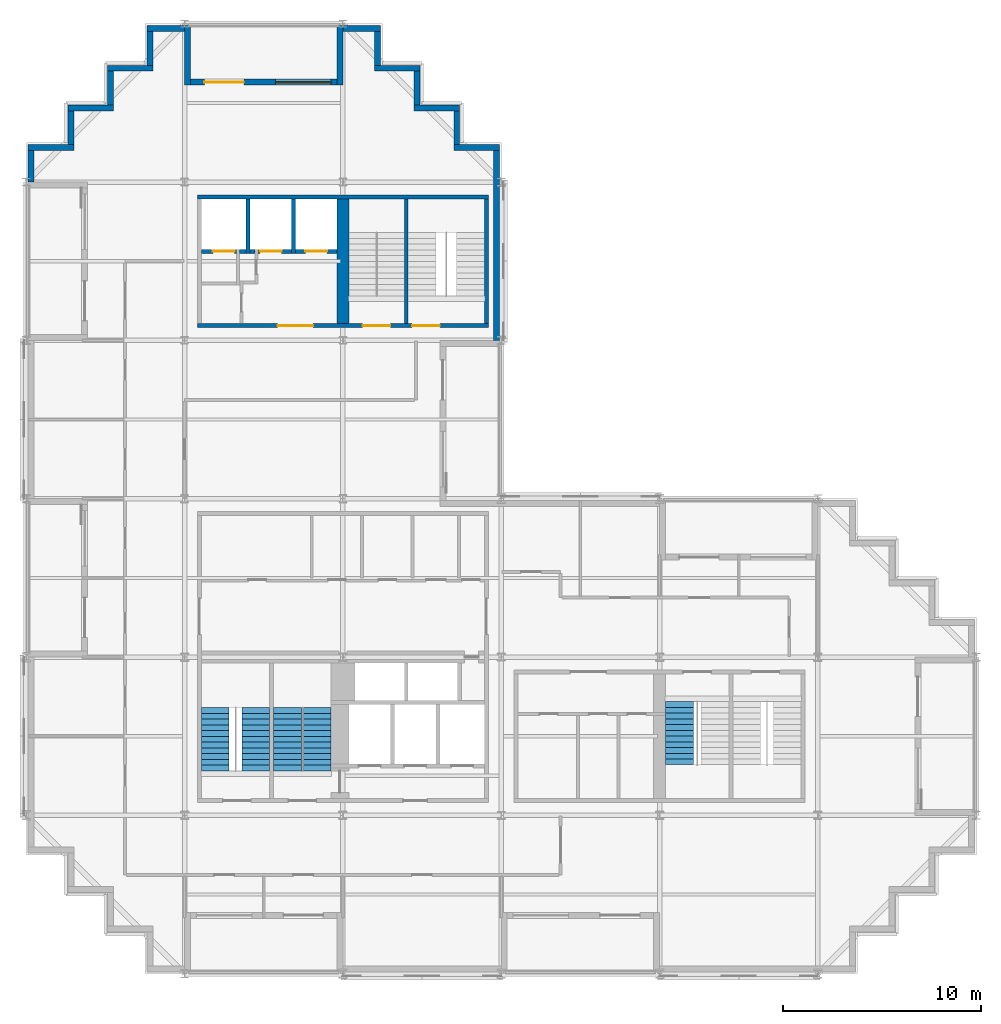
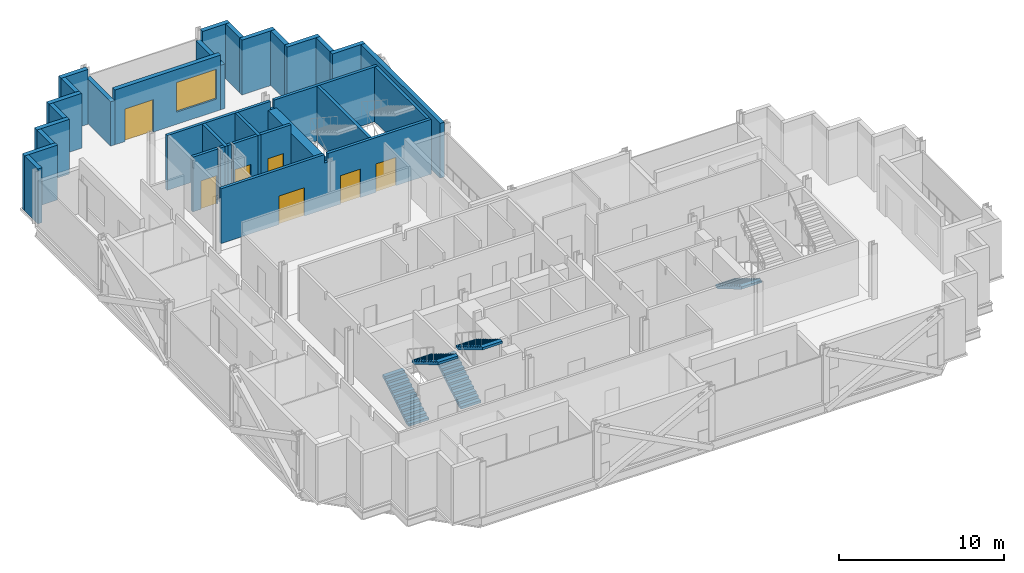
# One storey, part 8 of 11: 31 walls, 7 doors, 5 stair flights, 1 window, 8 openings, 3 elements without a shape of their own.
"""IFC4 building model written with IfcOpenShell, lengths in metres."""

from ifc_helpers import new_model, si_unit, direction, frame, frame_2d, origin, place, context, subcontext, project, spatial, polyline, rectangle, outline, extrude, material, layer, layer_set, type_object, element, fill, aggregate, save


model = new_model("IFC4")

# Units and contexts
model_context = context("Model", 3, precision=1e-05, world=origin(), true_north=direction((0.0, 1.0)))
body_context = subcontext(model_context, "Body", "Model", "MODEL_VIEW")
ifc_project = project(units=[si_unit("LENGTHUNIT", "METRE"), si_unit("AREAUNIT", "SQUARE_METRE"), si_unit("VOLUMEUNIT", "CUBIC_METRE"), si_unit("PLANEANGLEUNIT", "RADIAN"), si_unit("MASSUNIT", "GRAM", prefix="KILO")], contexts=[model_context])

# Site, building, storey
site_placement = place(None, origin())
site = spatial("IfcSite", under=ifc_project, at=site_placement, CompositionType="ELEMENT")
building_placement = place(site_placement, origin())
building = spatial("IfcBuilding", under=site, at=building_placement, Name="Immortelle Media Tower", CompositionType="ELEMENT")
storey_placement = place(building_placement, frame((0.0, 0.0, 141.0)))
storey = spatial("IfcBuildingStorey", under=building, at=storey_placement, Name="L28", CompositionType="ELEMENT", Elevation=141.0)

# Wall, opening, door
ifc_material_1 = material(Name="Fire-rated gypsum board", Category="gypsum")
ifc_layer_1 = layer(ifc_material_1, 0.03759765625)
ifc_material_2 = material(Name="Steel ASTM A653 SS Gr 50 stud frame with mineral wool", Category="steel")
ifc_layer_2 = layer(ifc_material_2, 0.125)
ifc_layer_3 = layer(ifc_material_1, 0.03759765625)
ifc_layer_set_1 = layer_set([ifc_layer_1, ifc_layer_2, ifc_layer_3], Name="Steel ASTM A653 SS Gr 50 stud frame with mineral wool")
wall_type_1 = type_object("IfcWallType", Name="Core shaft wall 200", PredefinedType="PARTITIONING", material=ifc_layer_set_1)
wall_1_placement = place(storey_placement, frame((8.85009765625, 36.5, 0.0), z_axis=(0.0, 0.0, 1.0), x_axis=(1.0, 0.0, 0.0)))
wall_1 = element("IfcWall", 1, at=wall_1_placement, inside=storey, type_object=wall_type_1, Name="Core shaft wall NW", PredefinedType="PARTITIONING", context=body_context, shape_type="SweptSolid", body=[
    extrude(rectangle(XDim=1.77490234375, YDim=0.199951171875, at=frame_2d((0.887451171875, 0.0))), origin(), (0.0, 0.0, 1.0), 4.050048828125),
])
opening_1_placement = place(wall_1_placement, frame((0.574951171875, 0.0, 0.0)))
opening_1 = element("IfcOpeningElement", 2, at=opening_1_placement, cuts=wall_1, Name="Opening LD", PredefinedType="OPENING", context=body_context, shape_type="SweptSolid", body=[
    extrude(rectangle(XDim=1.10009765625, YDim=2.10009765625, at=frame_2d((0.550048828125, 1.050048828125))), frame((0.0, 0.10986328125, 0.0), z_axis=(0.0, -1.0, 0.0), x_axis=(1.0, 0.0, 0.0)), (0.0, 0.0, 1.0), 0.219970703125),
])
ifc_material_3 = material(Name="Stainless steel AISI 304", Category="steel")
door_type_1 = type_object("IfcDoorType", Name="Landing door 1100 x 2100", OperationType="SLIDING_TO_LEFT", PredefinedType="NOTDEFINED", material=ifc_material_3)
door_1_placement = place(opening_1_placement, origin())
door_1 = element("IfcDoor", 3, at=door_1_placement, inside=storey, type_object=door_type_1, Name="Landing door MR1 L28", OperationType="SLIDING_TO_LEFT", OverallHeight=2.10009765625, OverallWidth=1.10009765625, PredefinedType="NOTDEFINED", context=body_context, shape_type="SweptSolid", body=[
    extrude(rectangle(XDim=1.10009765625, YDim=2.10009765625, at=frame_2d((0.550048828125, 1.050048828125))), frame((0.0, 0.02490234375, 0.0), z_axis=(0.0, -1.0, 0.0), x_axis=(1.0, 0.0, 0.0)), (0.0, 0.0, 1.0), 0.050048828125),
])
fill(opening_1, door_1)

# Walls
wall_2_placement = place(storey_placement, frame((10.77490234375, 36.5, 0.0), z_axis=(0.0, 0.0, 1.0), x_axis=(1.0, 0.0, 0.0)))
element("IfcWall", 4, at=wall_2_placement, inside=storey, type_object=wall_type_1, Name="Core shaft wall NW", PredefinedType="PARTITIONING", context=body_context, shape_type="SweptSolid", body=[
    extrude(rectangle(XDim=0.3251953125, YDim=0.199951171875, at=frame_2d((0.16259765625, 0.0))), origin(), (0.0, 0.0, 1.0), 4.050048828125),
])
wall_3_placement = place(storey_placement, frame((11.199951171875, 36.39990234375, 0.0), z_axis=(0.0, 0.0, 1.0), x_axis=(0.0, 1.0, 0.0)))
element("IfcWall", 5, at=wall_3_placement, inside=storey, type_object=wall_type_1, Name="Core shaft wall NW", PredefinedType="PARTITIONING", context=body_context, shape_type="SweptSolid", body=[
    extrude(rectangle(XDim=2.75, YDim=0.199951171875, at=frame_2d((1.375, 0.0))), origin(), (0.0, 0.0, 1.0), 4.050048828125),
])
wall_4_placement = place(storey_placement, frame((11.300048828125, 36.5, 0.0), z_axis=(0.0, 0.0, 1.0), x_axis=(1.0, 0.0, 0.0)))
element("IfcWall", 6, at=wall_4_placement, inside=storey, type_object=wall_type_1, Name="Core shaft wall NW", PredefinedType="PARTITIONING", context=body_context, shape_type="SweptSolid", body=[
    extrude(rectangle(XDim=0.25, YDim=0.199951171875, at=frame_2d((0.125, 0.0))), origin(), (0.0, 0.0, 1.0), 4.050048828125),
])

# Wall, opening, door
wall_5_placement = place(storey_placement, frame((11.699951171875, 36.5, 0.0), z_axis=(0.0, 0.0, 1.0), x_axis=(1.0, 0.0, 0.0)))
wall_5 = element("IfcWall", 7, at=wall_5_placement, inside=storey, type_object=wall_type_1, Name="Core shaft wall NW", PredefinedType="PARTITIONING", context=body_context, shape_type="SweptSolid", body=[
    extrude(rectangle(XDim=1.699951171875, YDim=0.199951171875, at=frame_2d((0.85009765625, 0.0))), origin(), (0.0, 0.0, 1.0), 4.050048828125),
])
opening_2_placement = place(wall_5_placement, frame((0.10009765625, 0.0, 0.0)))
opening_2 = element("IfcOpeningElement", 8, at=opening_2_placement, cuts=wall_5, Name="Opening LD", PredefinedType="OPENING", context=body_context, shape_type="SweptSolid", body=[
    extrude(rectangle(XDim=1.10009765625, YDim=2.10009765625, at=frame_2d((0.550048828125, 1.050048828125))), frame((0.0, 0.10986328125, 0.0), z_axis=(0.0, -1.0, 0.0), x_axis=(1.0, 0.0, 0.0)), (0.0, 0.0, 1.0), 0.219970703125),
])
door_2_placement = place(opening_2_placement, origin())
door_2 = element("IfcDoor", 9, at=door_2_placement, inside=storey, type_object=door_type_1, Name="Landing door MR2 L28", OperationType="SLIDING_TO_LEFT", OverallHeight=2.10009765625, OverallWidth=1.10009765625, PredefinedType="NOTDEFINED", context=body_context, shape_type="SweptSolid", body=[
    extrude(rectangle(XDim=1.10009765625, YDim=2.10009765625, at=frame_2d((0.550048828125, 1.050048828125))), frame((0.0, 0.02490234375, 0.0), z_axis=(0.0, -1.0, 0.0), x_axis=(1.0, 0.0, 0.0)), (0.0, 0.0, 1.0), 0.050048828125),
])
fill(opening_2, door_2)

# Wall
wall_6_placement = place(storey_placement, frame((13.5, 36.39990234375, 0.0), z_axis=(0.0, 0.0, 1.0), x_axis=(0.0, 1.0, 0.0)))
element("IfcWall", 10, at=wall_6_placement, inside=storey, type_object=wall_type_1, Name="Core shaft wall NW", PredefinedType="PARTITIONING", context=body_context, shape_type="SweptSolid", body=[
    extrude(rectangle(XDim=2.75, YDim=0.199951171875, at=frame_2d((1.375, 0.0))), origin(), (0.0, 0.0, 1.0), 4.050048828125),
])

# Wall, opening, door
wall_7_placement = place(storey_placement, frame((13.60009765625, 36.5, 0.0), z_axis=(0.0, 0.0, 1.0), x_axis=(1.0, 0.0, 0.0)))
wall_7 = element("IfcWall", 11, at=wall_7_placement, inside=storey, type_object=wall_type_1, Name="Core shaft wall NW", PredefinedType="PARTITIONING", context=body_context, shape_type="SweptSolid", body=[
    extrude(rectangle(XDim=2.099853515625, YDim=0.199951171875, at=frame_2d((1.0498046875, 0.0))), origin(), (0.0, 0.0, 1.0), 4.050048828125),
])
opening_3_placement = place(wall_7_placement, frame((0.5, 0.0, 0.0)))
opening_3 = element("IfcOpeningElement", 12, at=opening_3_placement, cuts=wall_7, Name="Opening LD", PredefinedType="OPENING", context=body_context, shape_type="SweptSolid", body=[
    extrude(rectangle(XDim=1.10009765625, YDim=2.10009765625, at=frame_2d((0.550048828125, 1.050048828125))), frame((0.0, 0.10986328125, 0.0), z_axis=(0.0, -1.0, 0.0), x_axis=(1.0, 0.0, 0.0)), (0.0, 0.0, 1.0), 0.219970703125),
])
door_3_placement = place(opening_3_placement, origin())
door_3 = element("IfcDoor", 13, at=door_3_placement, inside=storey, type_object=door_type_1, Name="Landing door MR3 L28", OperationType="SLIDING_TO_LEFT", OverallHeight=2.10009765625, OverallWidth=1.10009765625, PredefinedType="NOTDEFINED", context=body_context, shape_type="SweptSolid", body=[
    extrude(rectangle(XDim=1.10009765625, YDim=2.10009765625, at=frame_2d((0.550048828125, 1.050048828125))), frame((0.0, 0.02490234375, 0.0), z_axis=(0.0, -1.0, 0.0), x_axis=(1.0, 0.0, 0.0)), (0.0, 0.0, 1.0), 0.050048828125),
])
fill(opening_3, door_3)

# Walls
ifc_material_4 = material(Name="Pale aluminium cladding panel", Category="aluminium")
ifc_layer_4 = layer(ifc_material_4, 0.030029296875)
ifc_layer_5 = layer(ifc_material_2, 0.257568359375)
ifc_material_5 = material(Name="Moisture-resistant gypsum board", Category="gypsum")
ifc_layer_6 = layer(ifc_material_5, 0.012451171875)
ifc_layer_set_2 = layer_set([ifc_layer_4, ifc_layer_5, ifc_layer_6], Name="Steel ASTM A653 SS Gr 50 stud frame with mineral wool")
wall_type_2 = type_object("IfcWallType", Name="Facade wall 300", PredefinedType="SOLIDWALL", material=ifc_layer_set_2)
wall_8_placement = place(storey_placement, frame((23.75, 32.0, 0.0), z_axis=(0.0, 0.0, 1.0), x_axis=(0.0, 1.0, 0.0)))
element("IfcWall", 14, at=wall_8_placement, inside=storey, type_object=wall_type_2, Name="Facade wall L28 E21", PredefinedType="SOLIDWALL", context=body_context, shape_type="SweptSolid", body=[
    extrude(rectangle(XDim=9.60009765625, YDim=0.300048828125, at=frame_2d((4.800048828125, 0.0))), origin(), (0.0, 0.0, 1.0), 4.050048828125),
])
wall_9_placement = place(storey_placement, frame((23.89990234375, 41.75, 0.0), z_axis=(0.0, 0.0, 1.0), x_axis=(-1.0, 0.0, 0.0)))
element("IfcWall", 15, at=wall_9_placement, inside=storey, type_object=wall_type_2, Name="Facade wall L28 N22", PredefinedType="SOLIDWALL", context=body_context, shape_type="SweptSolid", body=[
    extrude(rectangle(XDim=2.2998046875, YDim=0.300048828125, at=frame_2d((1.14990234375, 0.0))), origin(), (0.0, 0.0, 1.0), 4.050048828125),
])
wall_10_placement = place(storey_placement, frame((21.75, 41.89990234375, 0.0), z_axis=(0.0, 0.0, 1.0), x_axis=(0.0, 1.0, 0.0)))
element("IfcWall", 16, at=wall_10_placement, inside=storey, type_object=wall_type_2, Name="Facade wall L28 E23", PredefinedType="SOLIDWALL", context=body_context, shape_type="SweptSolid", body=[
    extrude(rectangle(XDim=1.7001953125, YDim=0.300048828125, at=frame_2d((0.85009765625, 0.0))), origin(), (0.0, 0.0, 1.0), 4.050048828125),
])
wall_11_placement = place(storey_placement, frame((21.89990234375, 43.75, 0.0), z_axis=(0.0, 0.0, 1.0), x_axis=(-1.0, 0.0, 0.0)))
element("IfcWall", 17, at=wall_11_placement, inside=storey, type_object=wall_type_2, Name="Facade wall L28 N24", PredefinedType="SOLIDWALL", context=body_context, shape_type="SweptSolid", body=[
    extrude(rectangle(XDim=2.2998046875, YDim=0.300048828125, at=frame_2d((1.14990234375, 0.0))), origin(), (0.0, 0.0, 1.0), 4.050048828125),
])
wall_12_placement = place(storey_placement, frame((19.75, 43.89990234375, 0.0), z_axis=(0.0, 0.0, 1.0), x_axis=(0.0, 1.0, 0.0)))
element("IfcWall", 18, at=wall_12_placement, inside=storey, type_object=wall_type_2, Name="Facade wall L28 E25", PredefinedType="SOLIDWALL", context=body_context, shape_type="SweptSolid", body=[
    extrude(rectangle(XDim=1.7001953125, YDim=0.300048828125, at=frame_2d((0.85009765625, 0.0))), origin(), (0.0, 0.0, 1.0), 4.050048828125),
])
wall_13_placement = place(storey_placement, frame((19.89990234375, 45.75, 0.0), z_axis=(0.0, 0.0, 1.0), x_axis=(-1.0, 0.0, 0.0)))
element("IfcWall", 19, at=wall_13_placement, inside=storey, type_object=wall_type_2, Name="Facade wall L28 N26", PredefinedType="SOLIDWALL", context=body_context, shape_type="SweptSolid", body=[
    extrude(rectangle(XDim=2.2998046875, YDim=0.300048828125, at=frame_2d((1.14990234375, 0.0))), origin(), (0.0, 0.0, 1.0), 4.050048828125),
])
wall_14_placement = place(storey_placement, frame((17.75, 45.89990234375, 0.0), z_axis=(0.0, 0.0, 1.0), x_axis=(0.0, 1.0, 0.0)))
element("IfcWall", 20, at=wall_14_placement, inside=storey, type_object=wall_type_2, Name="Facade wall L28 E27", PredefinedType="SOLIDWALL", context=body_context, shape_type="SweptSolid", body=[
    extrude(rectangle(XDim=1.7001953125, YDim=0.300048828125, at=frame_2d((0.85009765625, 0.0))), origin(), (0.0, 0.0, 1.0), 4.050048828125),
])
wall_15_placement = place(storey_placement, frame((17.89990234375, 47.75, 0.0), z_axis=(0.0, 0.0, 1.0), x_axis=(-1.0, 0.0, 0.0)))
element("IfcWall", 21, at=wall_15_placement, inside=storey, type_object=wall_type_2, Name="Facade wall L28 N28", PredefinedType="SOLIDWALL", context=body_context, shape_type="SweptSolid", body=[
    extrude(rectangle(XDim=1.89990234375, YDim=0.300048828125, at=frame_2d((0.949951171875, 0.0))), origin(), (0.0, 0.0, 1.0), 4.050048828125),
])

# Wall, openings, door, window
wall_16_placement = place(storey_placement, frame((15.699951171875, 45.050048828125, 0.0), z_axis=(0.0, 0.0, 1.0), x_axis=(-1.0, 0.0, 0.0)))
wall_16 = element("IfcWall", 22, at=wall_16_placement, inside=storey, type_object=wall_type_2, Name="Loggia wall L28 N28", PredefinedType="SOLIDWALL", context=body_context, shape_type="SweptSolid", body=[
    extrude(rectangle(XDim=7.39990234375, YDim=0.300048828125, at=frame_2d((3.699951171875, 0.0))), origin(), (0.0, 0.0, 1.0), 4.050048828125),
])
opening_4_placement = place(wall_16_placement, frame((0.300048828125, 0.0, 0.89990234375)))
opening_4 = element("IfcOpeningElement", 23, at=opening_4_placement, cuts=wall_16, Name="Opening W1", PredefinedType="OPENING", context=body_context, shape_type="SweptSolid", body=[
    extrude(rectangle(XDim=2.800048828125, YDim=2.199951171875, at=frame_2d((1.39990234375, 1.10009765625))), frame((0.0, 0.159912109375, 0.0), z_axis=(0.0, -1.0, 0.0), x_axis=(1.0, 0.0, 0.0)), (0.0, 0.0, 1.0), 0.320068359375),
])
opening_5_placement = place(wall_16_placement, frame((4.699951171875, 0.0, 0.0)))
opening_5 = element("IfcOpeningElement", 24, at=opening_5_placement, cuts=wall_16, Name="Opening C2-E006", PredefinedType="OPENING", context=body_context, shape_type="SweptSolid", body=[
    extrude(rectangle(XDim=2.0, YDim=2.39990234375, at=frame_2d((1.0, 1.199951171875))), frame((0.0, 0.159912109375, 0.0), z_axis=(0.0, -1.0, 0.0), x_axis=(1.0, 0.0, 0.0)), (0.0, 0.0, 1.0), 0.320068359375),
])
ifc_material_6 = material(Name="Aluminium frame, glazed leaves", Category="aluminium")
door_type_2 = type_object("IfcDoorType", Name="Loggia door 2000 x 2400", OperationType="DOUBLE_DOOR_SINGLE_SWING", PredefinedType="DOOR", material=ifc_material_6)
door_4_placement = place(opening_5_placement, origin())
door_4 = element("IfcDoor", 25, at=door_4_placement, inside=storey, type_object=door_type_2, Name="Door C2-E006", OperationType="DOUBLE_DOOR_SINGLE_SWING", OverallHeight=2.39990234375, OverallWidth=2.0, PredefinedType="DOOR", context=body_context, shape_type="SweptSolid", body=[
    extrude(rectangle(XDim=2.0, YDim=2.39990234375, at=frame_2d((1.0, 1.199951171875))), frame((0.0, 0.02490234375, 0.0), z_axis=(0.0, -1.0, 0.0), x_axis=(1.0, 0.0, 0.0)), (0.0, 0.0, 1.0), 0.050048828125),
])
fill(opening_5, door_4)
ifc_material_7 = material(Name="Aluminium frame", Category="aluminium")
window_type = type_object("IfcWindowType", Name="Window 2800 x 2200", PartitioningType="SINGLE_PANEL", PredefinedType="WINDOW", material=ifc_material_7)
window_placement = place(opening_4_placement, origin())
window = element("IfcWindow", 26, at=window_placement, inside=storey, type_object=window_type, Name="Window L28 L28-R28-B0", OverallHeight=2.199951171875, OverallWidth=2.800048828125, PartitioningType="SINGLE_PANEL", PredefinedType="WINDOW", context=body_context, shape_type="SweptSolid", body=[
    extrude(rectangle(XDim=2.800048828125, YDim=2.199951171875, at=frame_2d((1.39990234375, 1.10009765625))), frame((0.0, 0.030029296875, 0.0), z_axis=(0.0, -1.0, 0.0), x_axis=(1.0, 0.0, 0.0)), (0.0, 0.0, 1.0), 0.06005859375),
])
fill(opening_4, window)

# Walls
for number, where, z_axis, x_axis, name in (
    (27, (15.85009765625, 47.89990234375, 0.0), (0.0, 0.0, 1.0), (0.0, -1.0, 0.0), "Loggia cheek wall L28 N"),
    (28, (8.14990234375, 47.89990234375, 0.0), (0.0, 0.0, 1.0), (0.0, -1.0, 0.0), "Loggia cheek wall L28 N"),
):
    element("IfcWall", number, at=place(storey_placement, frame(where, z_axis=z_axis, x_axis=x_axis)), inside=storey, type_object=wall_type_2, Name=name, PredefinedType="SOLIDWALL", context=body_context, shape_type="SweptSolid", body=[
        extrude(rectangle(XDim=3.0, YDim=0.300048828125, at=frame_2d((1.5, 0.0))), origin(), (0.0, 0.0, 1.0), 3.287109375),
    ])
wall_17_placement = place(storey_placement, frame((8.0, 47.75, 0.0), z_axis=(0.0, 0.0, 1.0), x_axis=(-1.0, 0.0, 0.0)))
element("IfcWall", 29, at=wall_17_placement, inside=storey, type_object=wall_type_2, Name="Facade wall L28 N28", PredefinedType="SOLIDWALL", context=body_context, shape_type="SweptSolid", body=[
    extrude(rectangle(XDim=1.89990234375, YDim=0.300048828125, at=frame_2d((0.949951171875, 0.0))), origin(), (0.0, 0.0, 1.0), 4.050048828125),
])
wall_18_placement = place(storey_placement, frame((6.25, 47.60009765625, 0.0), z_axis=(0.0, 0.0, 1.0), x_axis=(0.0, -1.0, 0.0)))
element("IfcWall", 30, at=wall_18_placement, inside=storey, type_object=wall_type_2, Name="Facade wall L28 W29", PredefinedType="SOLIDWALL", context=body_context, shape_type="SweptSolid", body=[
    extrude(rectangle(XDim=1.7001953125, YDim=0.300048828125, at=frame_2d((0.85009765625, 0.0))), origin(), (0.0, 0.0, 1.0), 4.050048828125),
])
wall_19_placement = place(storey_placement, frame((6.39990234375, 45.75, 0.0), z_axis=(0.0, 0.0, 1.0), x_axis=(-1.0, 0.0, 0.0)))
element("IfcWall", 31, at=wall_19_placement, inside=storey, type_object=wall_type_2, Name="Facade wall L28 N30", PredefinedType="SOLIDWALL", context=body_context, shape_type="SweptSolid", body=[
    extrude(rectangle(XDim=2.2998046875, YDim=0.300048828125, at=frame_2d((1.14990234375, 0.0))), origin(), (0.0, 0.0, 1.0), 4.050048828125),
])
wall_20_placement = place(storey_placement, frame((4.25, 45.60009765625, 0.0), z_axis=(0.0, 0.0, 1.0), x_axis=(0.0, -1.0, 0.0)))
element("IfcWall", 32, at=wall_20_placement, inside=storey, type_object=wall_type_2, Name="Facade wall L28 W31", PredefinedType="SOLIDWALL", context=body_context, shape_type="SweptSolid", body=[
    extrude(rectangle(XDim=1.7001953125, YDim=0.300048828125, at=frame_2d((0.85009765625, 0.0))), origin(), (0.0, 0.0, 1.0), 4.050048828125),
])
wall_21_placement = place(storey_placement, frame((4.39990234375, 43.75, 0.0), z_axis=(0.0, 0.0, 1.0), x_axis=(-1.0, 0.0, 0.0)))
element("IfcWall", 33, at=wall_21_placement, inside=storey, type_object=wall_type_2, Name="Facade wall L28 N32", PredefinedType="SOLIDWALL", context=body_context, shape_type="SweptSolid", body=[
    extrude(rectangle(XDim=2.2998046875, YDim=0.300048828125, at=frame_2d((1.14990234375, 0.0))), origin(), (0.0, 0.0, 1.0), 4.050048828125),
])
wall_22_placement = place(storey_placement, frame((2.25, 43.60009765625, 0.0), z_axis=(0.0, 0.0, 1.0), x_axis=(0.0, -1.0, 0.0)))
element("IfcWall", 34, at=wall_22_placement, inside=storey, type_object=wall_type_2, Name="Facade wall L28 W33", PredefinedType="SOLIDWALL", context=body_context, shape_type="SweptSolid", body=[
    extrude(rectangle(XDim=1.7001953125, YDim=0.300048828125, at=frame_2d((0.85009765625, 0.0))), origin(), (0.0, 0.0, 1.0), 4.050048828125),
])
wall_23_placement = place(storey_placement, frame((2.39990234375, 41.75, 0.0), z_axis=(0.0, 0.0, 1.0), x_axis=(-1.0, 0.0, 0.0)))
element("IfcWall", 35, at=wall_23_placement, inside=storey, type_object=wall_type_2, Name="Facade wall L28 N34", PredefinedType="SOLIDWALL", context=body_context, shape_type="SweptSolid", body=[
    extrude(rectangle(XDim=2.2998046875, YDim=0.300048828125, at=frame_2d((1.14990234375, 0.0))), origin(), (0.0, 0.0, 1.0), 4.050048828125),
])
wall_24_placement = place(storey_placement, frame((0.25, 41.60009765625, 0.0), z_axis=(0.0, 0.0, 1.0), x_axis=(0.0, -1.0, 0.0)))
element("IfcWall", 36, at=wall_24_placement, inside=storey, type_object=wall_type_2, Name="Facade wall L28 W35", PredefinedType="SOLIDWALL", context=body_context, shape_type="SweptSolid", body=[
    extrude(rectangle(XDim=1.60009765625, YDim=0.300048828125, at=frame_2d((0.800048828125, 0.0))), origin(), (0.0, 0.0, 1.0), 4.050048828125),
])

# Wall, openings, doors
ifc_material_8 = material(Name="Concrete C60", Category="concrete")
ifc_layer_7 = layer(ifc_material_8, 0.199951171875)
ifc_layer_set_3 = layer_set([ifc_layer_7], Name="Concrete C60")
wall_type_3 = type_object("IfcWallType", Name="Stair shaft wall 200", PredefinedType="PARTITIONING", material=ifc_layer_set_3)
wall_25_placement = place(storey_placement, frame((8.64990234375, 32.75, 0.0), z_axis=(0.0, 0.0, 1.0), x_axis=(1.0, 0.0, 0.0)))
wall_25 = element("IfcWall", 37, at=wall_25_placement, inside=storey, type_object=wall_type_3, Name="Stair shaft wall NW", PredefinedType="PARTITIONING", context=body_context, shape_type="SweptSolid", body=[
    extrude(outline(polyline([(0.0, 0.0), (14.7001953125, 0.0), (14.699951171875, 4.050048828125), (7.469482421875, 4.050048828125), (7.468505859375, 3.431884765625), (7.2314453125, 3.431884765625), (7.23046875, 4.050048828125), (0.0, 4.050048828125), (0.0, 0.0)])), frame((0.0, 0.10009765625, 0.0), z_axis=(0.0, -1.0, 0.0), x_axis=(1.0, 0.0, 0.0)), (0.0, 0.0, 1.0), 0.199951171875),
])
opening_6_placement = place(wall_25_placement, frame((4.050048828125, 0.0, 0.0)))
opening_6 = element("IfcOpeningElement", 38, at=opening_6_placement, cuts=wall_25, Name="Opening C2-K026", PredefinedType="OPENING", context=body_context, shape_type="SweptSolid", body=[
    extrude(rectangle(XDim=1.800048828125, YDim=2.10009765625, at=frame_2d((0.89990234375, 1.050048828125))), frame((0.0, 0.10986328125, 0.0), z_axis=(0.0, -1.0, 0.0), x_axis=(1.0, 0.0, 0.0)), (0.0, 0.0, 1.0), 0.219970703125),
])
opening_7_placement = place(wall_25_placement, frame((8.35009765625, 0.0, 0.0)))
opening_7 = element("IfcOpeningElement", 39, at=opening_7_placement, cuts=wall_25, Name="Opening C2-K028", PredefinedType="OPENING", context=body_context, shape_type="SweptSolid", body=[
    extrude(rectangle(XDim=1.39990234375, YDim=2.10009765625, at=frame_2d((0.699951171875, 1.050048828125))), frame((0.0, 0.10986328125, 0.0), z_axis=(0.0, -1.0, 0.0), x_axis=(1.0, 0.0, 0.0)), (0.0, 0.0, 1.0), 0.219970703125),
])
opening_8_placement = place(wall_25_placement, frame((10.85009765625, 0.0, 0.0)))
opening_8 = element("IfcOpeningElement", 40, at=opening_8_placement, cuts=wall_25, Name="Opening C2-K029", PredefinedType="OPENING", context=body_context, shape_type="SweptSolid", body=[
    extrude(rectangle(XDim=1.39990234375, YDim=2.10009765625, at=frame_2d((0.699951171875, 1.050048828125))), frame((0.0, 0.10986328125, 0.0), z_axis=(0.0, -1.0, 0.0), x_axis=(1.0, 0.0, 0.0)), (0.0, 0.0, 1.0), 0.219970703125),
])
ifc_material_9 = material(Name="Galvanised steel door leaf and frame ASTM A653", Category="steel")
door_type_3 = type_object("IfcDoorType", Name="Lift lobby door 1800 x 2100", OperationType="DOUBLE_DOOR_SINGLE_SWING", PredefinedType="NOTDEFINED", material=ifc_material_9)
door_5_placement = place(opening_6_placement, origin())
door_5 = element("IfcDoor", 41, at=door_5_placement, inside=storey, type_object=door_type_3, Name="Lift lobby C2-K026", OperationType="DOUBLE_DOOR_SINGLE_SWING", OverallHeight=2.10009765625, OverallWidth=1.800048828125, PredefinedType="NOTDEFINED", context=body_context, shape_type="SweptSolid", body=[
    extrude(rectangle(XDim=1.800048828125, YDim=2.10009765625, at=frame_2d((0.89990234375, 1.050048828125))), frame((0.0, 0.02490234375, 0.0), z_axis=(0.0, -1.0, 0.0), x_axis=(1.0, 0.0, 0.0)), (0.0, 0.0, 1.0), 0.050048828125),
])
fill(opening_6, door_5)
door_type_4 = type_object("IfcDoorType", Name="Stair door 1400 x 2100", OperationType="DOUBLE_DOOR_SINGLE_SWING", PredefinedType="NOTDEFINED", material=ifc_material_9)
door_6_placement = place(opening_7_placement, origin())
door_6 = element("IfcDoor", 42, at=door_6_placement, inside=storey, type_object=door_type_4, Name="Stair C2-K028", OperationType="DOUBLE_DOOR_SINGLE_SWING", OverallHeight=2.10009765625, OverallWidth=1.39990234375, PredefinedType="NOTDEFINED", context=body_context, shape_type="SweptSolid", body=[
    extrude(rectangle(XDim=1.39990234375, YDim=2.10009765625, at=frame_2d((0.699951171875, 1.050048828125))), frame((0.0, 0.02490234375, 0.0), z_axis=(0.0, -1.0, 0.0), x_axis=(1.0, 0.0, 0.0)), (0.0, 0.0, 1.0), 0.050048828125),
])
fill(opening_7, door_6)
door_7_placement = place(opening_8_placement, origin())
door_7 = element("IfcDoor", 43, at=door_7_placement, inside=storey, type_object=door_type_4, Name="Stair C2-K029", OperationType="DOUBLE_DOOR_SINGLE_SWING", OverallHeight=2.10009765625, OverallWidth=1.39990234375, PredefinedType="NOTDEFINED", context=body_context, shape_type="SweptSolid", body=[
    extrude(rectangle(XDim=1.39990234375, YDim=2.10009765625, at=frame_2d((0.699951171875, 1.050048828125))), frame((0.0, 0.02490234375, 0.0), z_axis=(0.0, -1.0, 0.0), x_axis=(1.0, 0.0, 0.0)), (0.0, 0.0, 1.0), 0.050048828125),
])
fill(opening_8, door_7)

# Walls
wall_26_placement = place(storey_placement, frame((8.64990234375, 39.25, 0.0), z_axis=(0.0, 0.0, 1.0), x_axis=(1.0, 0.0, 0.0)))
element("IfcWall", 44, at=wall_26_placement, inside=storey, type_object=wall_type_3, Name="Stair shaft wall NW", PredefinedType="PARTITIONING", context=body_context, shape_type="SweptSolid", body=[
    extrude(outline(polyline([(0.0, 0.0), (14.7001953125, 0.0), (14.699951171875, 4.050048828125), (7.469482421875, 4.050048828125), (7.468505859375, 3.431884765625), (7.2314453125, 3.431884765625), (7.23046875, 4.050048828125), (0.0, 4.050048828125), (0.0, 0.0)])), frame((0.0, 0.10009765625, 0.0), z_axis=(0.0, -1.0, 0.0), x_axis=(1.0, 0.0, 0.0)), (0.0, 0.0, 1.0), 0.199951171875),
])
for number, where, z_axis, x_axis, name in (
    (45, (19.199951171875, 32.85009765625, 0.0), (0.0, 0.0, 1.0), (0.0, 1.0, 0.0), "Stair shaft wall NW"),
    (46, (23.25, 32.85009765625, 0.0), (0.0, 0.0, 1.0), (0.0, 1.0, 0.0), "Stair shaft wall NW"),
):
    element("IfcWall", number, at=place(storey_placement, frame(where, z_axis=z_axis, x_axis=x_axis)), inside=storey, type_object=wall_type_3, Name=name, PredefinedType="PARTITIONING", context=body_context, shape_type="SweptSolid", body=[
        extrude(rectangle(XDim=6.2998046875, YDim=0.199951171875, at=frame_2d((3.14990234375, 0.0))), origin(), (0.0, 0.0, 1.0), 4.050048828125),
    ])
ifc_layer_8 = layer(ifc_material_8, 0.60009765625)
ifc_layer_set_4 = layer_set([ifc_layer_8], Name="Concrete C60")
wall_type_4 = type_object("IfcWallType", Name="Stair shaft wall 600", PredefinedType="PARTITIONING", material=ifc_layer_set_4)
wall_27_placement = place(storey_placement, frame((16.0, 32.85009765625, 0.0), z_axis=(0.0, 0.0, 1.0), x_axis=(0.0, 1.0, 0.0)))
element("IfcWall", 47, at=wall_27_placement, inside=storey, type_object=wall_type_4, Name="Stair shaft wall NW", PredefinedType="PARTITIONING", context=body_context, shape_type="SweptSolid", body=[
    extrude(rectangle(XDim=6.2998046875, YDim=0.60009765625, at=frame_2d((3.14990234375, 0.0))), origin(), (0.0, 0.0, 1.0), 3.431884765625),
])

# Stair, stair flights
ifc_material_10 = material(Name="Steel ASTM A992 Gr 50", Category="steel")
stair_type = type_object("IfcStairType", Name="Stair with flights", PredefinedType="DOUBLE_RETURN_STAIR", material=ifc_material_10)
stair_1_placement = place(storey_placement, origin())
stair_1 = element("IfcStair", 48, at=stair_1_placement, inside=storey, type_object=stair_type, Name="Exit stair SW1", PredefinedType="DOUBLE_RETURN_STAIR")
stair_flight_type = type_object("IfcStairFlightType", Name="Stair flight 1400", PredefinedType="STRAIGHT", material=ifc_material_10)
stair_flight_1_placement = place(storey_placement, frame((9.550048828125, 10.25, 0.0), z_axis=(0.0, 0.0, 1.0), x_axis=(0.0, 1.0, 0.0)))
stair_flight_1 = element("IfcStairFlight", 49, at=stair_flight_1_placement, type_object=stair_flight_type, Name="ST SW1 flight 1", NumberOfRisers=12, NumberOfTreads=11, PredefinedType="STRAIGHT", RiserHeight=0.175, TreadLength=0.29, context=body_context, shape_type="SweptSolid", body=[
    extrude(outline(polyline([(0.0, 0.0), (0.0, 0.175048828125), (0.2900390625, 0.175048828125), (0.2900390625, 0.35009765625), (0.580078125, 0.35009765625), (0.580078125, 0.52490234375), (0.8701171875, 0.52490234375), (0.8701171875, 0.699951171875), (1.159912109375, 0.699951171875), (1.159912109375, 0.875), (1.449951171875, 0.875), (1.449951171875, 1.050048828125), (1.739990234375, 1.050048828125), (1.739990234375, 1.22509765625), (2.030029296875, 1.22509765625), (2.030029296875, 1.39990234375), (2.320068359375, 1.39990234375), (2.320068359375, 1.574951171875), (2.610107421875, 1.574951171875), (2.610107421875, 1.75), (2.89990234375, 1.75), (2.89990234375, 1.925048828125), (3.18994140625, 1.925048828125), (3.18994140625, 2.10009765625), (3.18994140625, 1.75), (0.2900390625, 0.0), (0.0, 0.0)])), frame((0.0, 0.699951171875, 0.0), z_axis=(0.0, -1.0, 0.0), x_axis=(1.0, 0.0, 0.0)), (0.0, 0.0, 1.0), 1.39990234375),
])
stair_flight_2_placement = place(storey_placement, frame((11.60009765625, 13.43994140625, 2.10009765625), z_axis=(0.0, 0.0, 1.0), x_axis=(0.0, -1.0, 0.0)))
stair_flight_2 = element("IfcStairFlight", 50, at=stair_flight_2_placement, type_object=stair_flight_type, Name="ST SW1 flight 2", NumberOfRisers=12, NumberOfTreads=11, PredefinedType="STRAIGHT", RiserHeight=0.175, TreadLength=0.29, context=body_context, shape_type="SweptSolid", body=[
    extrude(outline(polyline([(0.0, 0.0), (0.0, 0.175048828125), (0.2900390625, 0.175048828125), (0.2900390625, 0.35009765625), (0.580078125, 0.35009765625), (0.580078125, 0.52490234375), (0.8701171875, 0.52490234375), (0.8701171875, 0.699951171875), (1.159912109375, 0.699951171875), (1.159912109375, 0.875), (1.449951171875, 0.875), (1.449951171875, 1.050048828125), (1.739990234375, 1.050048828125), (1.739990234375, 1.22509765625), (2.030029296875, 1.22509765625), (2.030029296875, 1.39990234375), (2.320068359375, 1.39990234375), (2.320068359375, 1.574951171875), (2.610107421875, 1.574951171875), (2.610107421875, 1.75), (2.89990234375, 1.75), (2.89990234375, 1.925048828125), (3.18994140625, 1.925048828125), (3.18994140625, 2.10009765625), (3.18994140625, 1.75), (0.2900390625, 0.0), (0.0, 0.0)])), frame((0.0, 0.699951171875, 0.0), z_axis=(0.0, -1.0, 0.0), x_axis=(1.0, 0.0, 0.0)), (0.0, 0.0, 1.0), 1.39990234375),
])
aggregate(stair_1, [stair_flight_1, stair_flight_2])

stair_2_placement = place(storey_placement, origin())
stair_2 = element("IfcStair", 51, at=stair_2_placement, inside=storey, type_object=stair_type, Name="Exit stair SW2", PredefinedType="DOUBLE_RETURN_STAIR")
stair_flight_3_placement = place(storey_placement, frame((13.199951171875, 10.25, 0.0), z_axis=(0.0, 0.0, 1.0), x_axis=(0.0, 1.0, 0.0)))
stair_flight_3 = element("IfcStairFlight", 52, at=stair_flight_3_placement, type_object=stair_flight_type, Name="ST SW2 flight 1", NumberOfRisers=12, NumberOfTreads=11, PredefinedType="STRAIGHT", RiserHeight=0.175, TreadLength=0.29, context=body_context, shape_type="SweptSolid", body=[
    extrude(outline(polyline([(0.0, 0.0), (0.0, 0.175048828125), (0.2900390625, 0.175048828125), (0.2900390625, 0.35009765625), (0.580078125, 0.35009765625), (0.580078125, 0.52490234375), (0.8701171875, 0.52490234375), (0.8701171875, 0.699951171875), (1.159912109375, 0.699951171875), (1.159912109375, 0.875), (1.449951171875, 0.875), (1.449951171875, 1.050048828125), (1.739990234375, 1.050048828125), (1.739990234375, 1.22509765625), (2.030029296875, 1.22509765625), (2.030029296875, 1.39990234375), (2.320068359375, 1.39990234375), (2.320068359375, 1.574951171875), (2.610107421875, 1.574951171875), (2.610107421875, 1.75), (2.89990234375, 1.75), (2.89990234375, 1.925048828125), (3.18994140625, 1.925048828125), (3.18994140625, 2.10009765625), (3.18994140625, 1.75), (0.2900390625, 0.0), (0.0, 0.0)])), frame((0.0, 0.699951171875, 0.0), z_axis=(0.0, -1.0, 0.0), x_axis=(1.0, 0.0, 0.0)), (0.0, 0.0, 1.0), 1.39990234375),
])
stair_flight_4_placement = place(storey_placement, frame((14.699951171875, 13.43994140625, 2.10009765625), z_axis=(0.0, 0.0, 1.0), x_axis=(0.0, -1.0, 0.0)))
stair_flight_4 = element("IfcStairFlight", 53, at=stair_flight_4_placement, type_object=stair_flight_type, Name="ST SW2 flight 2", NumberOfRisers=12, NumberOfTreads=11, PredefinedType="STRAIGHT", RiserHeight=0.175, TreadLength=0.29, context=body_context, shape_type="SweptSolid", body=[
    extrude(outline(polyline([(0.0, 0.0), (0.0, 0.175048828125), (0.2900390625, 0.175048828125), (0.2900390625, 0.35009765625), (0.580078125, 0.35009765625), (0.580078125, 0.52490234375), (0.8701171875, 0.52490234375), (0.8701171875, 0.699951171875), (1.159912109375, 0.699951171875), (1.159912109375, 0.875), (1.449951171875, 0.875), (1.449951171875, 1.050048828125), (1.739990234375, 1.050048828125), (1.739990234375, 1.22509765625), (2.030029296875, 1.22509765625), (2.030029296875, 1.39990234375), (2.320068359375, 1.39990234375), (2.320068359375, 1.574951171875), (2.610107421875, 1.574951171875), (2.610107421875, 1.75), (2.89990234375, 1.75), (2.89990234375, 1.925048828125), (3.18994140625, 1.925048828125), (3.18994140625, 2.10009765625), (3.18994140625, 1.75), (0.2900390625, 0.0), (0.0, 0.0)])), frame((0.0, 0.699951171875, 0.0), z_axis=(0.0, -1.0, 0.0), x_axis=(1.0, 0.0, 0.0)), (0.0, 0.0, 1.0), 1.39990234375),
])
aggregate(stair_2, [stair_flight_3, stair_flight_4])

# Stair, stair flight
stair_3_placement = place(storey_placement, origin())
stair_3 = element("IfcStair", 54, at=stair_3_placement, inside=storey, type_object=stair_type, Name="Exit stair SE1", PredefinedType="DOUBLE_RETURN_STAIR")
stair_flight_5_placement = place(storey_placement, frame((33.0, 13.75, 0.0), z_axis=(0.0, 0.0, 1.0), x_axis=(0.0, -1.0, 0.0)))
stair_flight_5 = element("IfcStairFlight", 55, at=stair_flight_5_placement, type_object=stair_flight_type, Name="ST SE1 flight 1", NumberOfRisers=12, NumberOfTreads=11, PredefinedType="STRAIGHT", RiserHeight=0.175, TreadLength=0.29, context=body_context, shape_type="SweptSolid", body=[
    extrude(outline(polyline([(0.0, 0.0), (0.0, 0.175048828125), (0.2900390625, 0.175048828125), (0.2900390625, 0.35009765625), (0.580078125, 0.35009765625), (0.580078125, 0.52490234375), (0.8701171875, 0.52490234375), (0.8701171875, 0.699951171875), (1.159912109375, 0.699951171875), (1.159912109375, 0.875), (1.449951171875, 0.875), (1.449951171875, 1.050048828125), (1.739990234375, 1.050048828125), (1.739990234375, 1.22509765625), (2.030029296875, 1.22509765625), (2.030029296875, 1.39990234375), (2.320068359375, 1.39990234375), (2.320068359375, 1.574951171875), (2.610107421875, 1.574951171875), (2.610107421875, 1.75), (2.89990234375, 1.75), (2.89990234375, 1.925048828125), (3.18994140625, 1.925048828125), (3.18994140625, 2.10009765625), (3.18994140625, 1.75), (0.2900390625, 0.0), (0.0, 0.0)])), frame((0.0, 0.699951171875, 0.0), z_axis=(0.0, -1.0, 0.0), x_axis=(1.0, 0.0, 0.0)), (0.0, 0.0, 1.0), 1.39990234375),
])
aggregate(stair_3, [stair_flight_5])

save(model, "model.ifc")
